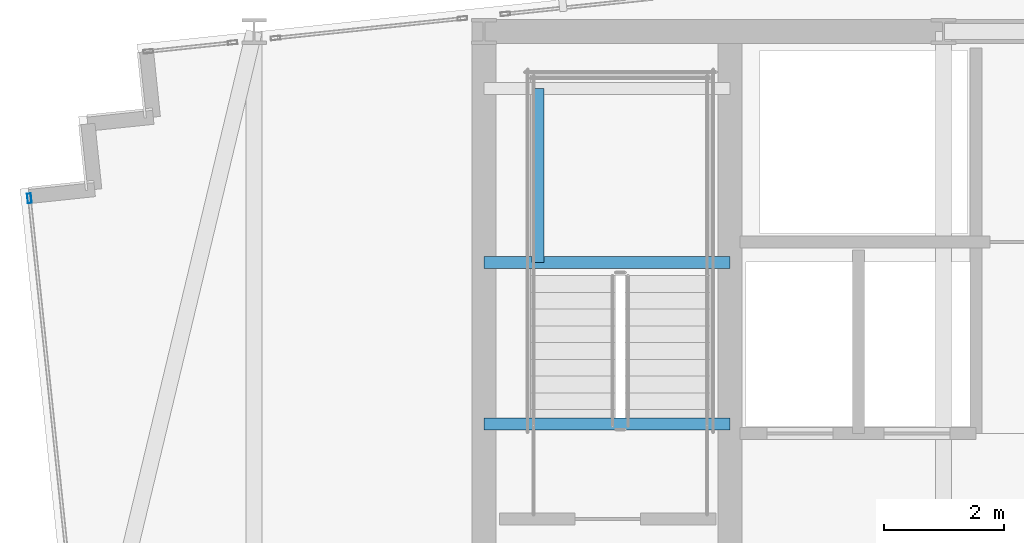
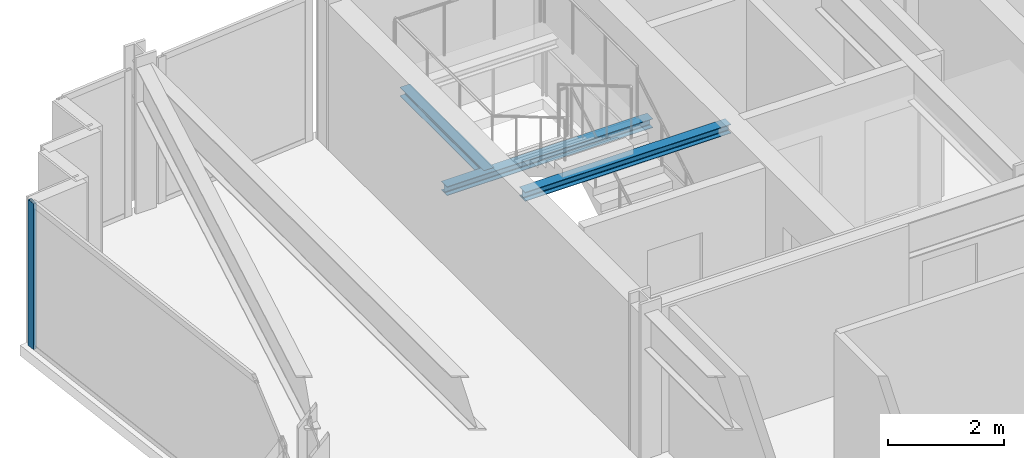
# One storey, part 12 of 33: 3 beams, 1 member, 1 element without a shape of its own.
"""IFC4 building model written with IfcOpenShell, lengths in metres."""

from ifc_helpers import new_model, si_unit, direction, frame, origin, origin_2d, place, context, subcontext, project, spatial, hollow_rectangle, i_section, extrude, material, material_profile, profile_set, type_object, element, aggregate, save


model = new_model("IFC4")

# Units and contexts
model_context = context("Model", 3, precision=1e-05, world=origin(), true_north=direction((0.0, 1.0)))
body_context = subcontext(model_context, "Body", "Model", "MODEL_VIEW")
ifc_project = project(units=[si_unit("LENGTHUNIT", "METRE"), si_unit("AREAUNIT", "SQUARE_METRE"), si_unit("VOLUMEUNIT", "CUBIC_METRE"), si_unit("PLANEANGLEUNIT", "RADIAN"), si_unit("MASSUNIT", "GRAM", prefix="KILO")], contexts=[model_context])

# Site, building, storey
site_placement = place(None, origin())
site = spatial("IfcSite", under=ifc_project, at=site_placement, CompositionType="ELEMENT")
building_placement = place(site_placement, origin())
building = spatial("IfcBuilding", under=site, at=building_placement, Name="Yelkora Congress Tower", CompositionType="ELEMENT")
storey_placement = place(building_placement, frame((0.0, 0.0, 227.60009765625)))
storey = spatial("IfcBuildingStorey", under=building, at=storey_placement, Name="L63", CompositionType="ELEMENT", Elevation=227.60009765625)

# Beams
ifc_material_1 = material(Name="Steel S355J2", Category="steel")
ifc_material_profile_1 = material_profile(ifc_material_1, i_section(OverallWidth=0.199951171875, OverallDepth=0.18994140625, WebThickness=0.006591796875, FlangeThickness=0.010009765625, FilletRadius=0.01806640625, at=origin_2d()), Name="HEA 200")
ifc_profile_set_1 = profile_set([ifc_material_profile_1], Name="Steel S355J2")
beam_type = type_object("IfcBeamType", Name="BM-LAND-HEA200", PredefinedType="BEAM", material=ifc_profile_set_1)
beam_1_placement = place(storey_placement, frame((23.0400390625, 42.340087890625, 1.33447265625), z_axis=(1.0, 0.0, 0.0), x_axis=(0.0, 1.0, 0.0)))
element("IfcBeam", 1, at=beam_1_placement, inside=storey, type_object=beam_type, Name="ST-01 L63 Landing Header Beam 1S", PredefinedType="BEAM", context=body_context, shape_type="SweptSolid", body=[
    extrude(i_section(OverallWidth=0.199951171875, OverallDepth=0.18994140625, WebThickness=0.006591796875, FlangeThickness=0.010009765625, FilletRadius=0.01806640625, at=origin_2d()), origin(), (0.0, 0.0, 1.0), 4.10986328125),
])
beam_2_placement = place(storey_placement, frame((23.93994140625, 42.340087890625, 1.33447265625), z_axis=(0.0, 1.0, 0.0), x_axis=(-1.0, 0.0, 0.0)))
element("IfcBeam", 2, at=beam_2_placement, inside=storey, type_object=beam_type, Name="ST-01 L63 Landing Trimmer Beam 1M", PredefinedType="BEAM", context=body_context, shape_type="SweptSolid", body=[
    extrude(i_section(OverallWidth=0.199951171875, OverallDepth=0.18994140625, WebThickness=0.006591796875, FlangeThickness=0.010009765625, FilletRadius=0.01806640625, at=origin_2d()), origin(), (0.0, 0.0, 1.0), 2.909912109375),
])
beam_3_placement = place(storey_placement, frame((23.0400390625, 39.639892578125, 2.853759765625), z_axis=(1.0, 0.0, 0.0), x_axis=(0.0, 1.0, 0.0)))
element("IfcBeam", 3, at=beam_3_placement, inside=storey, type_object=beam_type, Name="ST-01 L63 Floor Arrival Stringer Header Beam", PredefinedType="BEAM", context=body_context, shape_type="SweptSolid", body=[
    extrude(i_section(OverallWidth=0.199951171875, OverallDepth=0.18994140625, WebThickness=0.006591796875, FlangeThickness=0.010009765625, FilletRadius=0.01806640625, at=origin_2d()), origin(), (0.0, 0.0, 1.0), 4.10986328125),
])

# Curtain wall, member
ifc_material_2 = material(Name="Anodised aluminium and insulated glass", Category="aluminium")
curtain_wall_type = type_object("IfcCurtainWallType", Name="CW-SYS-B4", PredefinedType="NOTDEFINED", material=ifc_material_2)
curtain_wall_placement = place(storey_placement, origin())
curtain_wall = element("IfcCurtainWall", 4, at=curtain_wall_placement, inside=storey, type_object=curtain_wall_type, Name="L63 Unitised Curtain Wall 5", PredefinedType="NOTDEFINED")
ifc_material_3 = material(Name="Anodised aluminium 6063-T6", Category="aluminium")
ifc_material_profile_2 = material_profile(ifc_material_3, hollow_rectangle(XDim=0.06494140625, YDim=0.159912109375, WallThickness=0.00390625, at=origin_2d()), Name="ALU 65x160x4")
ifc_profile_set_2 = profile_set([ifc_material_profile_2], Name="Anodised aluminium 6063-T6")
member_type = type_object("IfcMemberType", Name="MEM-ML-B4", PredefinedType="MULLION", material=ifc_profile_set_2)
member_placement = place(storey_placement, frame((15.444580078125, 43.412353515625, 0.0), z_axis=(0.0, 0.0, 1.0), x_axis=(-0.994522145958, -0.104526079034, 0.0)))
member = element("IfcMember", 5, at=member_placement, type_object=member_type, Name="CW-B4 mullion 5", PredefinedType="MULLION", context=body_context, shape_type="SweptSolid", body=[
    extrude(hollow_rectangle(XDim=0.06494140625, YDim=0.159912109375, WallThickness=0.00390625, at=origin_2d()), origin(), (0.0, 0.0, 1.0), 3.079833984375),
])
aggregate(curtain_wall, [member])

save(model, "model.ifc")
